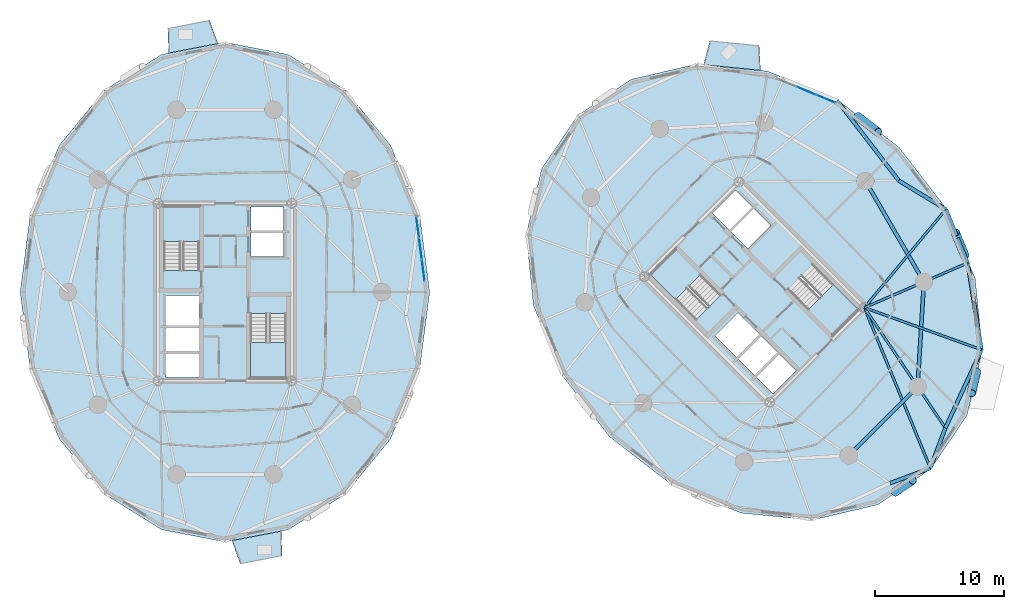
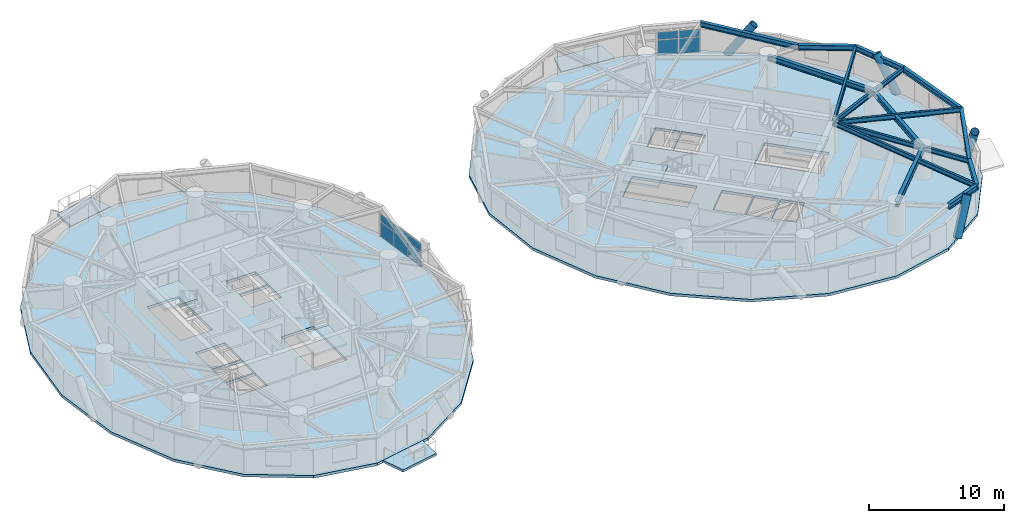
# One storey, part 7 of 18: 15 beams, 10 plates, 9 slabs, 4 members, 6 elements without a shape of their own.
"""IFC4 building model written with IfcOpenShell, lengths in metres."""

from ifc_helpers import new_model, si_unit, direction, frame, origin, origin_2d, place, context, subcontext, project, spatial, polyline, rectangle, hollow_circle, i_section, outline, extrude, source, transform, mapped, material, layer, layer_set, material_profile, profile_set, type_object, element, aggregate, save


model = new_model("IFC4")

# Units and contexts
model_context = context("Model", 3, precision=1e-05, world=origin(), true_north=direction((0.0, 1.0)))
body_context = subcontext(model_context, "Body", "Model", "MODEL_VIEW")
ifc_project = project(units=[si_unit("LENGTHUNIT", "METRE"), si_unit("AREAUNIT", "SQUARE_METRE"), si_unit("VOLUMEUNIT", "CUBIC_METRE"), si_unit("PLANEANGLEUNIT", "RADIAN"), si_unit("MASSUNIT", "GRAM", prefix="KILO")], contexts=[model_context])

# Site, building, storey
site_placement = place(None, origin())
site = spatial("IfcSite", under=ifc_project, at=site_placement, CompositionType="ELEMENT")
building_placement = place(site_placement, origin())
building = spatial("IfcBuilding", under=site, at=building_placement, Name="Cununo Teusaquillo Station Towers", CompositionType="ELEMENT")
storey_placement = place(building_placement, frame((0.0, 0.0, 87.610107421875)))
storey = spatial("IfcBuildingStorey", under=building, at=storey_placement, Name="L27", CompositionType="ELEMENT", Elevation=87.610107421875)

# Beams
ifc_material_1 = material(Name="Steel ASTM A572 Grade 50", Category="steel")
ifc_material_profile_1 = material_profile(ifc_material_1, i_section(OverallWidth=0.180908203125, OverallDepth=0.4169921875, WebThickness=0.010986328125, FlangeThickness=0.018310546875, FilletRadius=0.012939453125, at=origin_2d()), Name="W16X57")
ifc_profile_set_1 = profile_set([ifc_material_profile_1], Name="Steel ASTM A572 Grade 50")
beam_type_1 = type_object("IfcBeamType", Name="BM-JOIST-1", PredefinedType="JOIST", material=ifc_profile_set_1)
beam_1_placement = place(storey_placement, frame((66.024169921875, 23.29443359375, 2.46142578125), z_axis=(0.380485864505, -0.924786735908, 0.0), x_axis=(0.924786735908, 0.380485864505, 0.0)))
element("IfcBeam", 1, at=beam_1_placement, inside=storey, type_object=beam_type_1, Name="L27 Tower B Radial Spandrel Joist V15", PredefinedType="JOIST", context=body_context, shape_type="SweptSolid", body=[
    extrude(i_section(OverallWidth=0.180908203125, OverallDepth=0.4169921875, WebThickness=0.010986328125, FlangeThickness=0.018310546875, FilletRadius=0.012939453125, at=origin_2d()), origin(), (0.0, 0.0, 1.0), 13.44580078125),
])
beam_2_placement = place(storey_placement, frame((66.024169921875, 23.29443359375, 2.46142578125), z_axis=(0.941082771055, -0.338176312038, 0.0), x_axis=(0.338176312038, 0.941082771055, 0.0)))
element("IfcBeam", 2, at=beam_2_placement, inside=storey, type_object=beam_type_1, Name="L27 Tower B Radial Spandrel Joist V17", PredefinedType="JOIST", context=body_context, shape_type="SweptSolid", body=[
    extrude(i_section(OverallWidth=0.180908203125, OverallDepth=0.4169921875, WebThickness=0.010986328125, FlangeThickness=0.018310546875, FilletRadius=0.012939453125, at=origin_2d()), origin(), (0.0, 0.0, 1.0), 9.646484375),
])
beam_3_placement = place(storey_placement, frame((66.024169921875, 23.29443359375, 2.46142578125), z_axis=(0.638372238196, 0.769727799615, 0.0), x_axis=(-0.769727799615, 0.638372238196, 0.0)))
element("IfcBeam", 3, at=beam_3_placement, inside=storey, type_object=beam_type_1, Name="L27 Tower B Radial Spandrel Joist V19", PredefinedType="JOIST", context=body_context, shape_type="SweptSolid", body=[
    extrude(i_section(OverallWidth=0.180908203125, OverallDepth=0.4169921875, WebThickness=0.010986328125, FlangeThickness=0.018310546875, FilletRadius=0.012939453125, at=origin_2d()), origin(), (0.0, 0.0, 1.0), 9.895263671875),
])
ifc_material_2 = material(Name="Steel ASTM A572 Grade 50", Category="steel")
ifc_material_profile_2 = material_profile(ifc_material_2, i_section(OverallWidth=0.180908203125, OverallDepth=0.4169921875, WebThickness=0.010986328125, FlangeThickness=0.018310546875, FilletRadius=0.012939453125, at=origin_2d()), Name="W16X57")
ifc_profile_set_2 = profile_set([ifc_material_profile_2], Name="Steel ASTM A572 Grade 50")
beam_type_2 = type_object("IfcBeamType", Name="BM-RAD-G2", PredefinedType="BEAM", material=ifc_profile_set_2)
beam_4_placement = place(storey_placement, frame((66.024169921875, 23.29443359375, 2.46142578125), z_axis=(0.558572297481, -0.82945583878, 0.0), x_axis=(0.82945583878, 0.558572297481, 0.0)))
element("IfcBeam", 4, at=beam_4_placement, inside=storey, type_object=beam_type_2, Name="L27 Tower B Continuous Overhanging Radial Girder 09", PredefinedType="BEAM", context=body_context, shape_type="SweptSolid", body=[
    extrude(i_section(OverallWidth=0.180908203125, OverallDepth=0.4169921875, WebThickness=0.010986328125, FlangeThickness=0.018310546875, FilletRadius=0.012939453125, at=origin_2d()), origin(), (0.0, 0.0, 1.0), 11.22998046875),
])
beam_5_placement = place(storey_placement, frame((66.024169921875, 23.29443359375, 2.46142578125), z_axis=(0.917654733344, 0.397378648609, 0.0), x_axis=(-0.397378648609, 0.917654733344, 0.0)))
element("IfcBeam", 5, at=beam_5_placement, inside=storey, type_object=beam_type_2, Name="L27 Tower B Continuous Overhanging Radial Girder 10", PredefinedType="BEAM", context=body_context, shape_type="SweptSolid", body=[
    extrude(i_section(OverallWidth=0.180908203125, OverallDepth=0.4169921875, WebThickness=0.010986328125, FlangeThickness=0.018310546875, FilletRadius=0.012939453125, at=origin_2d()), origin(), (0.0, 0.0, 1.0), 8.71484375),
])
ifc_material_3 = material(Name="Steel ASTM A572 Grade 50", Category="steel")
ifc_material_profile_3 = material_profile(ifc_material_3, i_section(OverallWidth=0.280029296875, OverallDepth=0.462890625, WebThickness=0.0107421875, FlangeThickness=0.017333984375, FilletRadius=0.013916015625, at=origin_2d()), Name="W18X76")
ifc_profile_set_3 = profile_set([ifc_material_profile_3], Name="Steel ASTM A572 Grade 50")
beam_type_3 = type_object("IfcBeamType", Name="BM-RING-Z2", PredefinedType="SPANDREL", material=ifc_profile_set_3)
beam_6_placement = place(storey_placement, frame((64.826904296875, 11.853759765625, 2.4384765625), z_axis=(0.707106781187, 0.707106781187, 0.0), x_axis=(-0.707106781187, 0.707106781187, 0.0)))
element("IfcBeam", 6, at=beam_6_placement, inside=storey, type_object=beam_type_3, Name="L27 Tower B Structural Column Ring Girder 08", PredefinedType="SPANDREL", context=body_context, shape_type="SweptSolid", body=[
    extrude(i_section(OverallWidth=0.280029296875, OverallDepth=0.462890625, WebThickness=0.0107421875, FlangeThickness=0.017333984375, FilletRadius=0.013916015625, at=origin_2d()), origin(), (0.0, 0.0, 1.0), 7.522705078125),
])
beam_7_placement = place(storey_placement, frame((70.146240234375, 17.173095703125, 2.4384765625), z_axis=(0.06012979176, 0.998190567048, 0.0), x_axis=(-0.998190567048, 0.06012979176, 0.0)))
element("IfcBeam", 7, at=beam_7_placement, inside=storey, type_object=beam_type_3, Name="L27 Tower B Structural Column Ring Girder 09", PredefinedType="SPANDREL", context=body_context, shape_type="SweptSolid", body=[
    extrude(i_section(OverallWidth=0.280029296875, OverallDepth=0.462890625, WebThickness=0.0107421875, FlangeThickness=0.017333984375, FilletRadius=0.013916015625, at=origin_2d()), origin(), (0.0, 0.0, 1.0), 8.132568359375),
])
beam_8_placement = place(storey_placement, frame((70.63525390625, 25.291015625, 2.4384765625), z_axis=(-0.501311121078, 0.865267103202, 0.0), x_axis=(-0.865267103202, -0.501311121078, 0.0)))
element("IfcBeam", 8, at=beam_8_placement, inside=storey, type_object=beam_type_3, Name="L27 Tower B Structural Column Ring Girder 10", PredefinedType="SPANDREL", context=body_context, shape_type="SweptSolid", body=[
    extrude(i_section(OverallWidth=0.280029296875, OverallDepth=0.462890625, WebThickness=0.0107421875, FlangeThickness=0.017333984375, FilletRadius=0.013916015625, at=origin_2d()), origin(), (0.0, 0.0, 1.0), 9.032958984375),
])
beam_9_placement = place(storey_placement, frame((68.694580078125, 33.12890625, 2.4384765625), z_axis=(-0.610100441726, 0.792324082056, 0.0), x_axis=(-0.792324082056, -0.610100441726, 0.0)))
element("IfcBeam", 9, at=beam_9_placement, inside=storey, type_object=beam_type_3, Name="L27 Tower B Spandrel Ring Beam 01", PredefinedType="SPANDREL", context=body_context, shape_type="SweptSolid", body=[
    extrude(i_section(OverallWidth=0.280029296875, OverallDepth=0.462890625, WebThickness=0.0107421875, FlangeThickness=0.017333984375, FilletRadius=0.013916015625, at=origin_2d()), origin(), (0.0, 0.0, 1.0), 7.84033203125),
])
for number, where, z_axis, x_axis, name in (
    (10, (68.020263671875, 9.703125, 2.4384765625), (0.937628334414, 0.347639333943, 0.0), (-0.347639333943, 0.937628334414, 0.0), "L27 Tower B Spandrel Ring Beam 15"),
    (11, (71.14013671875, 10.85986328125, 2.4384765625), (0.347639333943, 0.937628334414, 0.0), (-0.937628334414, 0.347639333943, 0.0), "L27 Tower B Spandrel Ring Beam 16"),
):
    element("IfcBeam", number, at=place(storey_placement, frame(where, z_axis=z_axis, x_axis=x_axis)), inside=storey, type_object=beam_type_3, Name=name, PredefinedType="SPANDREL", context=body_context, shape_type="SweptSolid", body=[
        extrude(i_section(OverallWidth=0.280029296875, OverallDepth=0.462890625, WebThickness=0.0107421875, FlangeThickness=0.017333984375, FilletRadius=0.013916015625, at=origin_2d()), origin(), (0.0, 0.0, 1.0), 3.327392578125),
    ])
beam_10_placement = place(storey_placement, frame((72.296875, 13.979736328125, 2.4384765625), z_axis=(0.420535961689, 0.907275870354, 0.0), x_axis=(-0.907275870354, 0.420535961689, 0.0)))
element("IfcBeam", 12, at=beam_10_placement, inside=storey, type_object=beam_type_3, Name="L27 Tower B Spandrel Ring Beam 17", PredefinedType="SPANDREL", context=body_context, shape_type="SweptSolid", body=[
    extrude(i_section(OverallWidth=0.280029296875, OverallDepth=0.462890625, WebThickness=0.0107421875, FlangeThickness=0.017333984375, FilletRadius=0.013916015625, at=origin_2d()), origin(), (0.0, 0.0, 1.0), 6.671142578125),
])
beam_11_placement = place(storey_placement, frame((75.102294921875, 20.0322265625, 2.4384765625), z_axis=(-0.158671232312, 0.987331474246, 0.0), x_axis=(-0.987331474246, -0.158671232312, 0.0)))
element("IfcBeam", 13, at=beam_11_placement, inside=storey, type_object=beam_type_3, Name="L27 Tower B Spandrel Ring Beam 18", PredefinedType="SPANDREL", context=body_context, shape_type="SweptSolid", body=[
    extrude(i_section(OverallWidth=0.280029296875, OverallDepth=0.462890625, WebThickness=0.0107421875, FlangeThickness=0.017333984375, FilletRadius=0.013916015625, at=origin_2d()), origin(), (0.0, 0.0, 1.0), 6.8115234375),
])
beam_12_placement = place(storey_placement, frame((74.021484375, 26.757568359375, 2.4384765625), z_axis=(-0.375042266631, 0.927007712072, 0.0), x_axis=(-0.927007712072, -0.375042266631, 0.0)))
element("IfcBeam", 14, at=beam_12_placement, inside=storey, type_object=beam_type_3, Name="L27 Tower B Spandrel Ring Beam 19", PredefinedType="SPANDREL", context=body_context, shape_type="SweptSolid", body=[
    extrude(i_section(OverallWidth=0.280029296875, OverallDepth=0.462890625, WebThickness=0.0107421875, FlangeThickness=0.017333984375, FilletRadius=0.013916015625, at=origin_2d()), origin(), (0.0, 0.0, 1.0), 4.480712890625),
])
beam_13_placement = place(storey_placement, frame((72.341064453125, 30.9111328125, 2.4384765625), z_axis=(-0.854388492444, 0.519634779416, 0.0), x_axis=(-0.519634779416, -0.854388492444, 0.0)))
element("IfcBeam", 15, at=beam_13_placement, inside=storey, type_object=beam_type_3, Name="L27 Tower B Spandrel Ring Beam 20", PredefinedType="SPANDREL", context=body_context, shape_type="SweptSolid", body=[
    extrude(i_section(OverallWidth=0.280029296875, OverallDepth=0.462890625, WebThickness=0.0107421875, FlangeThickness=0.017333984375, FilletRadius=0.013916015625, at=origin_2d()), origin(), (0.0, 0.0, 1.0), 4.26806640625),
])

# Members
ifc_material_4 = material(Name="Steel EN 10025-2 S355J2", Category="steel")
ifc_material_profile_4 = material_profile(ifc_material_4, hollow_circle(Radius=0.330078125, WallThickness=0.02490234375, at=origin_2d()), Name="CHS 660x25")
ifc_profile_set_4 = profile_set([ifc_material_profile_4], Name="Steel EN 10025-2 S355J2")
member_type = type_object("IfcMemberType", Name="MBR-DIAG-Z2", PredefinedType="BRACE", material=ifc_profile_set_4)
member_1_placement = place(storey_placement, frame((65.498291015625, 38.118408203125, -0.14013671875), z_axis=(0.449302990414, -0.34606419194, 0.823630012726), x_axis=(0.610205273886, 0.792243348803, 0.0)))
element("IfcMember", 16, at=member_1_placement, inside=storey, type_object=member_type, Name="L27 Tower B Folded-Zigzag Diagrid Tube C00", PredefinedType="BRACE", context=body_context, shape_type="SweptSolid", body=[
    extrude(hollow_circle(Radius=0.330078125, WallThickness=0.02490234375, at=origin_2d()), origin(), (0.0, 0.0, 1.0), 3.532958984375),
])
member_2_placement = place(storey_placement, frame((68.393310546875, 9.003173828125, -0.14013671875), z_axis=(0.410072581881, 0.277172614456, 0.868916462835), x_axis=(-0.559991322854, 0.828498472134, 0.0)))
element("IfcMember", 17, at=member_2_placement, inside=storey, type_object=member_type, Name="L27 Tower B Folded-Zigzag Diagrid Tube C14", PredefinedType="BRACE", context=body_context, shape_type="SweptSolid", body=[
    extrude(hollow_circle(Radius=0.330078125, WallThickness=0.02490234375, at=origin_2d()), origin(), (0.0, 0.0, 1.0), 3.348876953125),
])
member_3_placement = place(storey_placement, frame((74.7099609375, 18.348388671875, -0.14013671875), z_axis=(-0.115906612964, -0.49752571016, 0.859670765352), x_axis=(0.973920299704, -0.226890391653, 0.0)))
element("IfcMember", 18, at=member_3_placement, inside=storey, type_object=member_type, Name="L27 Tower B Folded-Zigzag Diagrid Tube C16", PredefinedType="BRACE", context=body_context, shape_type="SweptSolid", body=[
    extrude(hollow_circle(Radius=0.330078125, WallThickness=0.02490234375, at=origin_2d()), origin(), (0.0, 0.0, 1.0), 3.385009765625),
])
member_4_placement = place(storey_placement, frame((73.818115234375, 27.318115234375, -0.14013671875), z_axis=(-0.211093316399, 0.51346268498, 0.83174255807), x_axis=(-0.924888817599, -0.380237656053, 0.0)))
element("IfcMember", 19, at=member_4_placement, inside=storey, type_object=member_type, Name="L27 Tower B Folded-Zigzag Diagrid Tube C18", PredefinedType="BRACE", context=body_context, shape_type="SweptSolid", body=[
    extrude(hollow_circle(Radius=0.330078125, WallThickness=0.02490234375, at=origin_2d()), origin(), (0.0, 0.0, 1.0), 3.49853515625),
])

# Slabs
ifc_material_5 = material(Name="Concrete C50/60", Category="concrete")
ifc_layer_1 = layer(ifc_material_5, 0.2099609375)
ifc_layer_set_1 = layer_set([ifc_layer_1], Name="Concrete C50/60")
slab_type_1 = type_object("IfcSlabType", Name="SLB-BAL-210", PredefinedType="FLOOR", material=ifc_layer_set_1)
slab_1_placement = place(storey_placement, frame((0.0, 0.0, -0.210205078125)))
element("IfcSlab", 20, at=slab_1_placement, inside=storey, type_object=slab_type_1, Name="L27 Tower A Tree Balcony Slab 1", PredefinedType="FLOOR", context=body_context, shape_type="SweptSolid", body=[
    extrude(outline(polyline([(15.958984375, 43.75048828125), (12.1376953125, 43.01220703125), (12.069091796875, 44.94921875), (15.30126953125, 45.573974609375), (15.958984375, 43.75048828125)])), origin(), (0.0, 0.0, 1.0), 0.210205078125),
])
slab_2_placement = place(storey_placement, frame((0.0, 0.0, -0.210205078125)))
element("IfcSlab", 21, at=slab_2_placement, inside=storey, type_object=slab_type_1, Name="L27 Tower A Tree Balcony Slab 2", PredefinedType="FLOOR", context=body_context, shape_type="SweptSolid", body=[
    extrude(outline(polyline([(17.041015625, 5.24951171875), (20.8623046875, 5.98779296875), (20.930908203125, 4.05078125), (17.69873046875, 3.426025390625), (17.041015625, 5.24951171875)])), origin(), (0.0, 0.0, 1.0), 0.210205078125),
])
slab_3_placement = place(storey_placement, frame((0.0, 0.0, -0.210205078125)))
element("IfcSlab", 22, at=slab_3_placement, inside=storey, type_object=slab_type_1, Name="L27 Tower B Tree Balcony Slab 1", PredefinedType="FLOOR", context=body_context, shape_type="SweptSolid", body=[
    extrude(outline(polyline([(57.984375, 41.675048828125), (53.57080078125, 42.1123046875), (54.05810546875, 43.988525390625), (57.87451171875, 43.6103515625), (57.984375, 41.675048828125)])), origin(), (0.0, 0.0, 1.0), 0.210205078125),
])

# Stair, slab
ifc_material_6 = material(Name="Concrete C50/60", Category="concrete")
stair_type = type_object("IfcStairType", Name="ST-TWR-1300", PredefinedType="HALF_TURN_STAIR", material=ifc_material_6)
stair_1_placement = place(storey_placement, origin())
stair_1 = element("IfcStair", 23, at=stair_1_placement, inside=storey, type_object=stair_type, Name="L27 Tower A Protected Core Exit Stair 1", PredefinedType="HALF_TURN_STAIR")
ifc_material_7 = material(Name="Concrete C50/60", Category="concrete")
ifc_layer_2 = layer(ifc_material_7, 0.199951171875)
ifc_layer_set_2 = layer_set([ifc_layer_2], Name="Concrete C50/60")
slab_type_2 = type_object("IfcSlabType", Name="SLB-STAIR-LND", PredefinedType="LANDING", material=ifc_layer_set_2)
slab_4_placement = place(storey_placement, frame((0.0, 0.0, 1.2548828125)))
slab_4 = element("IfcSlab", 24, at=slab_4_placement, type_object=slab_type_2, Name="ST-T1-1 landing 1", PredefinedType="LANDING", context=body_context, shape_type="SweptSolid", body=[
    extrude(outline(polyline([(14.52001953125, 28.409912109375), (14.52001953125, 31.159912109375), (11.760009765625, 31.159912109375), (11.760009765625, 28.409912109375), (14.52001953125, 28.409912109375)])), origin(), (0.0, 0.0, 1.0), 0.199951171875),
])
aggregate(stair_1, [slab_4])

stair_2_placement = place(storey_placement, origin())
stair_2 = element("IfcStair", 25, at=stair_2_placement, inside=storey, type_object=stair_type, Name="L27 Tower A Protected Core Exit Stair 2", PredefinedType="HALF_TURN_STAIR")
slab_5_placement = place(storey_placement, frame((0.0, 0.0, 1.2548828125)))
slab_5 = element("IfcSlab", 26, at=slab_5_placement, type_object=slab_type_2, Name="ST-T1-2 landing 1", PredefinedType="LANDING", context=body_context, shape_type="SweptSolid", body=[
    extrude(outline(polyline([(18.47998046875, 20.590087890625), (18.47998046875, 17.840087890625), (21.239990234375, 17.840087890625), (21.239990234375, 20.590087890625), (18.47998046875, 20.590087890625)])), origin(), (0.0, 0.0, 1.0), 0.199951171875),
])
aggregate(stair_2, [slab_5])

stair_3_placement = place(storey_placement, origin())
stair_3 = element("IfcStair", 27, at=stair_3_placement, inside=storey, type_object=stair_type, Name="L27 Tower B Protected Core Exit Stair 1", PredefinedType="HALF_TURN_STAIR")
slab_6_placement = place(storey_placement, frame((0.0, 0.0, 1.2548828125)))
slab_6 = element("IfcSlab", 28, at=slab_6_placement, type_object=slab_type_2, Name="ST-T2-1 landing 1", PredefinedType="LANDING", context=body_context, shape_type="SweptSolid", body=[
    extrude(outline(polyline([(53.335205078125, 25.86474609375), (51.390625, 27.809326171875), (49.43896484375, 25.857666015625), (51.383544921875, 23.9130859375), (53.335205078125, 25.86474609375)])), origin(), (0.0, 0.0, 1.0), 0.199951171875),
])
aggregate(stair_3, [slab_6])

stair_4_placement = place(storey_placement, origin())
stair_4 = element("IfcStair", 29, at=stair_4_placement, inside=storey, type_object=stair_type, Name="L27 Tower B Protected Core Exit Stair 2", PredefinedType="HALF_TURN_STAIR")
slab_7_placement = place(storey_placement, frame((0.0, 0.0, 1.2548828125)))
slab_7 = element("IfcSlab", 30, at=slab_7_placement, type_object=slab_type_2, Name="ST-T2-2 landing 1", PredefinedType="LANDING", context=body_context, shape_type="SweptSolid", body=[
    extrude(outline(polyline([(61.664794921875, 23.13525390625), (63.609375, 21.190673828125), (65.56103515625, 23.142333984375), (63.616455078125, 25.0869140625), (61.664794921875, 23.13525390625)])), origin(), (0.0, 0.0, 1.0), 0.199951171875),
])
aggregate(stair_4, [slab_7])

# Slabs
ifc_material_8 = material(Name="Concrete C40/50", Category="concrete")
ifc_layer_3 = layer(ifc_material_8, 0.239990234375)
ifc_layer_set_3 = layer_set([ifc_layer_3], Name="Concrete C40/50")
slab_type_3 = type_object("IfcSlabType", Name="SLB-Z2-240", PredefinedType="FLOOR", material=ifc_layer_set_3)
slab_8_placement = place(storey_placement, frame((0.0, 0.0, -0.239990234375)))
element("IfcSlab", 31, at=slab_8_placement, inside=storey, type_object=slab_type_3, Name="L27 Tower A Floor Slab", PredefinedType="FLOOR", context=body_context, shape_type="SweptSolid", body=[
    extrude(outline(polyline([(32.361083984375, 24.5), (31.584716796875, 30.4794921875), (29.331787109375, 35.87353515625), (25.822998046875, 40.154541015625), (21.4013671875, 42.90283203125), (16.5, 43.85009765625), (11.5986328125, 42.90283203125), (7.177001953125, 40.154541015625), (3.668212890625, 35.87353515625), (1.415283203125, 30.4794921875), (0.638916015625, 24.5), (1.415283203125, 18.5205078125), (3.668212890625, 13.12646484375), (7.177001953125, 8.845458984375), (11.5986328125, 6.09716796875), (16.5, 5.14990234375), (21.4013671875, 6.09716796875), (25.822998046875, 8.845458984375), (29.331787109375, 13.12646484375), (31.584716796875, 18.5205078125), (32.361083984375, 24.5)]), holes=[polyline([(14.52001953125, 26.176025390625), (14.52001953125, 31.159912109375), (11.760009765625, 31.159912109375), (11.760009765625, 26.176025390625), (14.52001953125, 26.176025390625)]), polyline([(18.47998046875, 22.823974609375), (18.47998046875, 17.840087890625), (21.239990234375, 17.840087890625), (21.239990234375, 22.823974609375), (18.47998046875, 22.823974609375)]), polyline([(11.949951171875, 21.85009765625), (14.47998046875, 21.85009765625), (14.47998046875, 24.25), (11.949951171875, 24.25), (11.949951171875, 21.85009765625)]), polyline([(11.949951171875, 17.89990234375), (14.47998046875, 17.89990234375), (14.47998046875, 19.75), (11.949951171875, 19.75), (11.949951171875, 17.89990234375)]), polyline([(11.949951171875, 19.89990234375), (14.47998046875, 19.89990234375), (14.47998046875, 21.75), (11.949951171875, 21.75), (11.949951171875, 19.89990234375)]), polyline([(18.52001953125, 27.25), (21.050048828125, 27.25), (21.050048828125, 29.10009765625), (18.52001953125, 29.10009765625), (18.52001953125, 27.25)]), polyline([(18.52001953125, 29.25), (21.050048828125, 29.25), (21.050048828125, 31.10009765625), (18.52001953125, 31.10009765625), (18.52001953125, 29.25)])]), origin(), (0.0, 0.0, 1.0), 0.239990234375),
])
slab_9_placement = place(storey_placement, frame((0.0, 0.0, -0.239990234375)))
element("IfcSlab", 32, at=slab_9_placement, inside=storey, type_object=slab_type_3, Name="L27 Tower B Floor Slab", PredefinedType="FLOOR", context=body_context, shape_type="SweptSolid", body=[
    extrude(outline(polyline([(68.71533203125, 35.71533203125), (63.938232421875, 39.39453125), (58.531005859375, 41.61572265625), (53.02294921875, 42.16162109375), (47.952880859375, 40.978515625), (43.8173828125, 38.1826171875), (41.021484375, 34.047119140625), (39.83837890625, 28.97705078125), (40.38427734375, 23.468994140625), (42.60546875, 18.061767578125), (46.28466796875, 13.28466796875), (51.061767578125, 9.60546875), (56.468994140625, 7.38427734375), (61.97705078125, 6.83837890625), (67.047119140625, 8.021484375), (71.1826171875, 10.8173828125), (73.978515625, 14.952880859375), (75.16162109375, 20.02294921875), (74.61572265625, 25.531005859375), (72.39453125, 30.938232421875), (68.71533203125, 35.71533203125)]), holes=[polyline([(54.914794921875, 24.28515625), (51.390625, 27.809326171875), (49.43896484375, 25.857666015625), (52.963134765625, 22.33349609375), (54.914794921875, 24.28515625)]), polyline([(60.085205078125, 24.71484375), (63.609375, 21.190673828125), (65.56103515625, 23.142333984375), (62.036865234375, 26.66650390625), (60.085205078125, 24.71484375)]), polyline([(56.156494140625, 19.40869140625), (57.945556640625, 21.19775390625), (56.248291015625, 22.89501953125), (54.45947265625, 21.10595703125), (56.156494140625, 19.40869140625)]), polyline([(58.94970703125, 16.61572265625), (60.738525390625, 18.40478515625), (59.430419921875, 19.712890625), (57.641357421875, 17.923828125), (58.94970703125, 16.61572265625)]), polyline([(57.535400390625, 18.030029296875), (59.32421875, 19.819091796875), (58.01611328125, 21.127197265625), (56.227294921875, 19.338134765625), (57.535400390625, 18.030029296875)]), polyline([(56.98388671875, 27.872802734375), (58.772705078125, 29.661865234375), (57.464599609375, 30.969970703125), (55.67578125, 29.180908203125), (56.98388671875, 27.872802734375)]), polyline([(55.569580078125, 29.287109375), (57.358642578125, 31.076171875), (56.05029296875, 32.38427734375), (54.261474609375, 30.59521484375), (55.569580078125, 29.287109375)])]), origin(), (0.0, 0.0, 1.0), 0.239990234375),
])

# Curtain wall, plates
ifc_material_9 = material(Name="Ceramic-fritted dark low-E double glazing", Category="glass")
ifc_layer_4 = layer(ifc_material_9, 0.179931640625)
ifc_layer_set_4 = layer_set([ifc_layer_4], Name="Ceramic-fritted dark low-E double glazing")
curtain_wall_type = type_object("IfcCurtainWallType", Name="CW-SYS-04", PredefinedType="USERDEFINED", material=ifc_layer_set_4)
curtain_wall_1_placement = place(storey_placement, origin())
curtain_wall_1 = element("IfcCurtainWall", 33, at=curtain_wall_1_placement, inside=storey, type_object=curtain_wall_type, Name="L27 Tower A Facade Curtain Wall C00", ObjectType="FRITTED GLAZING", PredefinedType="USERDEFINED")
ifc_material_10 = material(Name="Ceramic-fritted dark low-E double glazing", Category="glass")
ifc_layer_5 = layer(ifc_material_10, 0.028076171875)
ifc_layer_set_5 = layer_set([ifc_layer_5], Name="Ceramic-fritted dark low-E double glazing")
plate_type = type_object("IfcPlateType", Name="CWP-FRIT-28", PredefinedType="CURTAIN_PANEL", material=ifc_layer_set_5)
shared_shape_1 = source(origin(), body_context, "Body", "SweptSolid", [
    extrude(rectangle(XDim=1.59228515625, YDim=0.028076171875, at=origin_2d()), origin(), (0.0, 0.0, 1.0), 1.31103515625),
])
plate_1_placement = place(storey_placement, frame((31.429443359375, 29.533935546875, 0.06982421875), z_axis=(0.0, 0.0, 1.0), x_axis=(0.128335852387, -0.991730764367, 0.0)))
plate_1 = element("IfcPlate", 34, at=plate_1_placement, type_object=plate_type, Name="CW-04 panel 1.1", PredefinedType="CURTAIN_PANEL", context=body_context, shape_type="MappedRepresentation", body=[
    mapped(shared_shape_1, transform((0.0, 0.0, 0.0), x_axis=(1.0, 0.0, 0.0), y_axis=(0.0, 1.0, 0.0), z_axis=(0.0, 0.0, 1.0), scale=1.0)),
])
plate_2_placement = place(storey_placement, frame((31.86083984375, 26.201904296875, 0.06982421875), z_axis=(0.0, 0.0, 1.0), x_axis=(0.128335852387, -0.991730764367, 0.0)))
plate_2 = element("IfcPlate", 35, at=plate_2_placement, type_object=plate_type, Name="CW-04 panel 3.1", PredefinedType="CURTAIN_PANEL", context=body_context, shape_type="MappedRepresentation", body=[
    mapped(shared_shape_1, transform((0.0, 0.0, 0.0), x_axis=(1.0, 0.0, 0.0), y_axis=(0.0, 1.0, 0.0), z_axis=(0.0, 0.0, 1.0), scale=1.0)),
])
shared_shape_2 = source(origin(), body_context, "Body", "SweptSolid", [
    extrude(rectangle(XDim=1.59228515625, YDim=0.028076171875, at=origin_2d()), origin(), (0.0, 0.0, 1.0), 0.657958984375),
])
plate_3_placement = place(storey_placement, frame((31.429443359375, 29.533935546875, 1.45068359375), z_axis=(0.0, 0.0, 1.0), x_axis=(0.128335852387, -0.991730764367, 0.0)))
plate_3 = element("IfcPlate", 36, at=plate_3_placement, type_object=plate_type, Name="CW-04 panel 1.2", PredefinedType="CURTAIN_PANEL", context=body_context, shape_type="MappedRepresentation", body=[
    mapped(shared_shape_2, transform((0.0, 0.0, 0.0), x_axis=(1.0, 0.0, 0.0), y_axis=(0.0, 1.0, 0.0), z_axis=(0.0, 0.0, 1.0), scale=1.0)),
])
plate_4_placement = place(storey_placement, frame((31.86083984375, 26.201904296875, 1.45068359375), z_axis=(0.0, 0.0, 1.0), x_axis=(0.128335852387, -0.991730764367, 0.0)))
plate_4 = element("IfcPlate", 37, at=plate_4_placement, type_object=plate_type, Name="CW-04 panel 3.2", PredefinedType="CURTAIN_PANEL", context=body_context, shape_type="MappedRepresentation", body=[
    mapped(shared_shape_2, transform((0.0, 0.0, 0.0), x_axis=(1.0, 0.0, 0.0), y_axis=(0.0, 1.0, 0.0), z_axis=(0.0, 0.0, 1.0), scale=1.0)),
])
shared_shape_3 = source(origin(), body_context, "Body", "SweptSolid", [
    extrude(rectangle(XDim=1.62744140625, YDim=0.028076171875, at=origin_2d()), origin(), (0.0, 0.0, 1.0), 1.31103515625),
])
plate_5_placement = place(storey_placement, frame((31.645263671875, 27.867919921875, 0.06982421875), z_axis=(0.0, 0.0, 1.0), x_axis=(0.128335852387, -0.991730764367, 0.0)))
plate_5 = element("IfcPlate", 38, at=plate_5_placement, type_object=plate_type, Name="CW-04 panel 2.1", PredefinedType="CURTAIN_PANEL", context=body_context, shape_type="MappedRepresentation", body=[
    mapped(shared_shape_3, transform((0.0, 0.0, 0.0), x_axis=(1.0, 0.0, 0.0), y_axis=(0.0, 1.0, 0.0), z_axis=(0.0, 0.0, 1.0), scale=1.0)),
])
shared_shape_4 = source(origin(), body_context, "Body", "SweptSolid", [
    extrude(rectangle(XDim=1.62744140625, YDim=0.028076171875, at=origin_2d()), origin(), (0.0, 0.0, 1.0), 0.657958984375),
])
plate_6_placement = place(storey_placement, frame((31.645263671875, 27.867919921875, 1.45068359375), z_axis=(0.0, 0.0, 1.0), x_axis=(0.128335852387, -0.991730764367, 0.0)))
plate_6 = element("IfcPlate", 39, at=plate_6_placement, type_object=plate_type, Name="CW-04 panel 2.2", PredefinedType="CURTAIN_PANEL", context=body_context, shape_type="MappedRepresentation", body=[
    mapped(shared_shape_4, transform((0.0, 0.0, 0.0), x_axis=(1.0, 0.0, 0.0), y_axis=(0.0, 1.0, 0.0), z_axis=(0.0, 0.0, 1.0), scale=1.0)),
])
aggregate(curtain_wall_1, [plate_1, plate_3, plate_5, plate_6, plate_2, plate_4])

curtain_wall_2_placement = place(storey_placement, origin())
curtain_wall_2 = element("IfcCurtainWall", 40, at=curtain_wall_2_placement, inside=storey, type_object=curtain_wall_type, Name="L27 Tower B Facade Curtain Wall C01", ObjectType="FRITTED GLAZING", PredefinedType="USERDEFINED")
shared_shape_5 = source(origin(), body_context, "Body", "SweptSolid", [
    extrude(rectangle(XDim=1.531005859375, YDim=0.028076171875, at=origin_2d()), origin(), (0.0, 0.0, 1.0), 1.31103515625),
])
plate_7_placement = place(storey_placement, frame((63.03857421875, 39.463623046875, 0.06982421875), z_axis=(0.0, 0.0, 1.0), x_axis=(0.924562443652, -0.381030560176, 0.0)))
plate_7 = element("IfcPlate", 41, at=plate_7_placement, type_object=plate_type, Name="CW-04 panel 3.1", PredefinedType="CURTAIN_PANEL", context=body_context, shape_type="MappedRepresentation", body=[
    mapped(shared_shape_5, transform((0.0, 0.0, 0.0), x_axis=(1.0, 0.0, 0.0), y_axis=(0.0, 1.0, 0.0), z_axis=(0.0, 0.0, 1.0), scale=1.0)),
])
shared_shape_6 = source(origin(), body_context, "Body", "SweptSolid", [
    extrude(rectangle(XDim=1.531005859375, YDim=0.028076171875, at=origin_2d()), origin(), (0.0, 0.0, 1.0), 0.657958984375),
])
plate_8_placement = place(storey_placement, frame((63.03857421875, 39.463623046875, 1.45068359375), z_axis=(0.0, 0.0, 1.0), x_axis=(0.924562443652, -0.381030560176, 0.0)))
plate_8 = element("IfcPlate", 42, at=plate_8_placement, type_object=plate_type, Name="CW-04 panel 3.2", PredefinedType="CURTAIN_PANEL", context=body_context, shape_type="MappedRepresentation", body=[
    mapped(shared_shape_6, transform((0.0, 0.0, 0.0), x_axis=(1.0, 0.0, 0.0), y_axis=(0.0, 1.0, 0.0), z_axis=(0.0, 0.0, 1.0), scale=1.0)),
])
shared_shape_7 = source(origin(), body_context, "Body", "SweptSolid", [
    extrude(rectangle(XDim=1.566162109375, YDim=0.028076171875, at=origin_2d()), origin(), (0.0, 0.0, 1.0), 1.31103515625),
])
plate_9_placement = place(storey_placement, frame((61.542236328125, 40.080322265625, 0.06982421875), z_axis=(0.0, 0.0, 1.0), x_axis=(0.924562443652, -0.381030560176, 0.0)))
plate_9 = element("IfcPlate", 43, at=plate_9_placement, type_object=plate_type, Name="CW-04 panel 2.1", PredefinedType="CURTAIN_PANEL", context=body_context, shape_type="MappedRepresentation", body=[
    mapped(shared_shape_7, transform((0.0, 0.0, 0.0), x_axis=(1.0, 0.0, 0.0), y_axis=(0.0, 1.0, 0.0), z_axis=(0.0, 0.0, 1.0), scale=1.0)),
])
shared_shape_8 = source(origin(), body_context, "Body", "SweptSolid", [
    extrude(rectangle(XDim=1.566162109375, YDim=0.028076171875, at=origin_2d()), origin(), (0.0, 0.0, 1.0), 0.657958984375),
])
plate_10_placement = place(storey_placement, frame((61.542236328125, 40.080322265625, 1.45068359375), z_axis=(0.0, 0.0, 1.0), x_axis=(0.924562443652, -0.381030560176, 0.0)))
plate_10 = element("IfcPlate", 44, at=plate_10_placement, type_object=plate_type, Name="CW-04 panel 2.2", PredefinedType="CURTAIN_PANEL", context=body_context, shape_type="MappedRepresentation", body=[
    mapped(shared_shape_8, transform((0.0, 0.0, 0.0), x_axis=(1.0, 0.0, 0.0), y_axis=(0.0, 1.0, 0.0), z_axis=(0.0, 0.0, 1.0), scale=1.0)),
])
aggregate(curtain_wall_2, [plate_9, plate_10, plate_7, plate_8])

save(model, "model.ifc")
